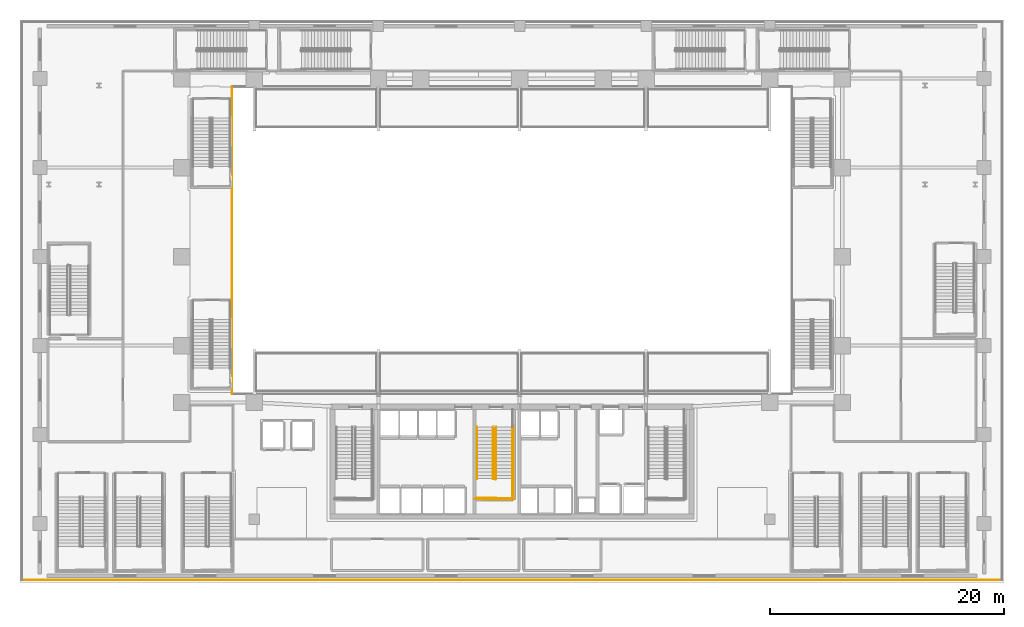
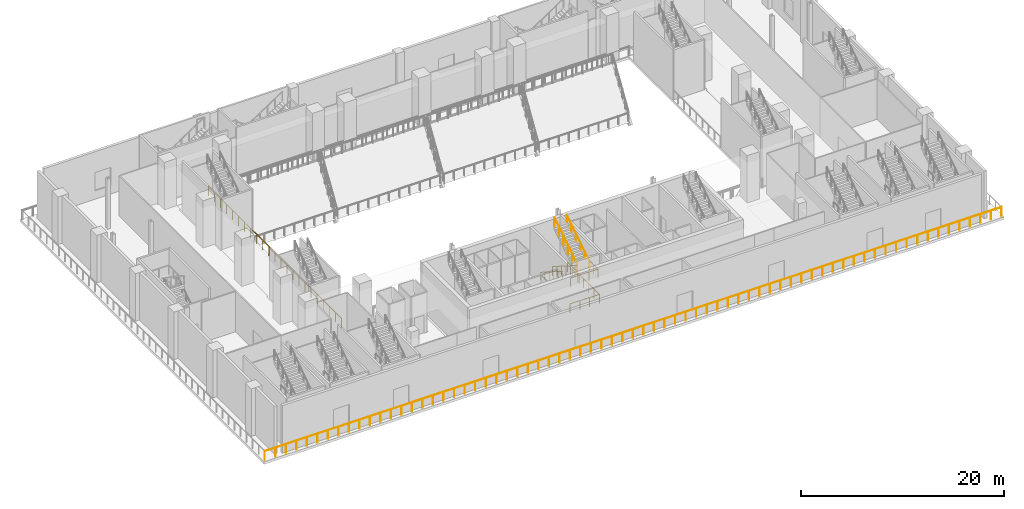
# One storey, part 18 of 30: 8 railings.
"""IFC4 building model written with IfcOpenShell, lengths in metres."""

from ifc_helpers import new_model, si_unit, direction, frame, origin, origin_2d, place, context, subcontext, project, spatial, circle, extrude, material, layer, layer_set, type_object, element, save


model = new_model("IFC4")

# Units and contexts
model_context = context("Model", 3, precision=1e-05, world=origin(), true_north=direction((0.0, 1.0)))
body_context = subcontext(model_context, "Body", "Model", "MODEL_VIEW")
ifc_project = project(units=[si_unit("LENGTHUNIT", "METRE"), si_unit("AREAUNIT", "SQUARE_METRE"), si_unit("VOLUMEUNIT", "CUBIC_METRE"), si_unit("PLANEANGLEUNIT", "RADIAN"), si_unit("MASSUNIT", "GRAM", prefix="KILO")], contexts=[model_context])

# Site, building, storey
site_placement = place(None, origin())
site = spatial("IfcSite", under=ifc_project, at=site_placement, CompositionType="ELEMENT")
building_placement = place(site_placement, origin())
building = spatial("IfcBuilding", under=site, at=building_placement, Name="Ndaravel Arena Tower", CompositionType="ELEMENT")
storey_placement = place(building_placement, frame((0.0, 0.0, 6.0)))
storey = spatial("IfcBuildingStorey", under=building, at=storey_placement, Name="L01", CompositionType="ELEMENT", Elevation=6.0)

# Railings
ifc_material_1 = material(Name="Steel S355", Category="steel")
ifc_layer_1 = layer(ifc_material_1, 0.06005859375)
ifc_layer_set_1 = layer_set([ifc_layer_1], Name="Steel S355")
railing_type_1 = type_object("IfcRailingType", Name="RAIL-STAIR-GD1100", PredefinedType="GUARDRAIL", material=ifc_layer_set_1)
railing_1_placement = place(storey_placement, frame((40.39990234375, 13.25, 0.1875)))
element("IfcRailing", 1, at=railing_1_placement, inside=storey, type_object=railing_type_1, Name="L01 ST-2 stair guard 1", PredefinedType="GUARDRAIL", context=body_context, shape_type="SweptSolid", body=[
    extrude(circle(Radius=0.02392578125, at=origin_2d()), frame((0.0, 0.0, 1.076171875), z_axis=(0.0, -0.843958541447, 0.536408408136), x_axis=(1.0, 0.0, 0.0)), (0.0, 0.0, 1.0), 5.2431640625),
    extrude(circle(Radius=0.02392578125, at=origin_2d()), frame((0.0, -4.425048828125, 3.888671875), z_axis=(0.967074537263, -0.25449329928, 0.0), x_axis=(0.25449329928, 0.967074537263, 0.0)), (0.0, 0.0, 1.0), 0.19677734375),
    extrude(circle(Radius=0.02099609375, at=origin_2d()), origin(), (0.0, 0.0, 1.0), 1.052001953125),
    extrude(circle(Radius=0.02099609375, at=origin_2d()), frame((0.0, -0.885009765625, 0.5625)), (0.0, 0.0, 1.0), 1.052001953125),
    extrude(circle(Radius=0.02099609375, at=origin_2d()), frame((0.0, -1.77001953125, 1.125)), (0.0, 0.0, 1.0), 1.052001953125),
    extrude(circle(Radius=0.02099609375, at=origin_2d()), frame((0.0, -2.655029296875, 1.6875)), (0.0, 0.0, 1.0), 1.052001953125),
    extrude(circle(Radius=0.02099609375, at=origin_2d()), frame((0.0, -3.5400390625, 2.25)), (0.0, 0.0, 1.0), 1.052001953125),
    extrude(circle(Radius=0.02099609375, at=origin_2d()), frame((0.0, -4.425048828125, 2.8125)), (0.0, 0.0, 1.0), 1.052001953125),
    extrude(circle(Radius=0.02099609375, at=origin_2d()), frame((0.190185546875, -4.47509765625, 2.8125)), (0.0, 0.0, 1.0), 1.052001953125),
])
railing_2_placement = place(storey_placement, frame((42.0400390625, 8.824951171875, 3.0)))
element("IfcRailing", 2, at=railing_2_placement, inside=storey, type_object=railing_type_1, Name="L01 ST-2 stair guard 2", PredefinedType="GUARDRAIL", context=body_context, shape_type="SweptSolid", body=[
    extrude(circle(Radius=0.02392578125, at=origin_2d()), frame((0.0, 0.0, 1.076171875), z_axis=(0.0, -1.0, 0.0), x_axis=(1.0, 0.0, 0.0)), (0.0, 0.0, 1.0), 1.675048828125),
    extrude(circle(Radius=0.02392578125, at=origin_2d()), frame((0.0, -1.675048828125, 1.076171875), z_axis=(-0.999868861343, 0.016194447071, 0.0), x_axis=(-0.016194447071, -0.999868861343, 0.0)), (0.0, 0.0, 1.0), 3.090576171875),
    extrude(circle(Radius=0.02099609375, at=origin_2d()), origin(), (0.0, 0.0, 1.0), 1.052001953125),
    extrude(circle(Radius=0.02099609375, at=origin_2d()), frame((0.0, -0.83740234375, 0.0)), (0.0, 0.0, 1.0), 1.052001953125),
    extrude(circle(Radius=0.02099609375, at=origin_2d()), frame((0.0, -1.675048828125, 0.0)), (0.0, 0.0, 1.0), 1.052001953125),
    extrude(circle(Radius=0.02099609375, at=origin_2d()), frame((-1.030029296875, -1.658447265625, 0.0)), (0.0, 0.0, 1.0), 1.052001953125),
    extrude(circle(Radius=0.02099609375, at=origin_2d()), frame((-2.06005859375, -1.6416015625, 0.0)), (0.0, 0.0, 1.0), 1.052001953125),
    extrude(circle(Radius=0.02099609375, at=origin_2d()), frame((-3.090087890625, -1.625, 0.0)), (0.0, 0.0, 1.0), 1.052001953125),
])
railing_3_placement = place(storey_placement, frame((40.639892578125, 8.824951171875, 3.1875)))
element("IfcRailing", 3, at=railing_3_placement, inside=storey, type_object=railing_type_1, Name="L01 ST-2 stair guard 3", PredefinedType="GUARDRAIL", context=body_context, shape_type="SweptSolid", body=[
    extrude(circle(Radius=0.02392578125, at=origin_2d()), frame((0.0, 0.0, 1.076171875), z_axis=(0.0, 0.843958541447, 0.536408408136), x_axis=(-1.0, 0.0, 0.0)), (0.0, 0.0, 1.0), 5.2431640625),
    extrude(circle(Radius=0.02099609375, at=origin_2d()), origin(), (0.0, 0.0, 1.0), 1.052001953125),
    extrude(circle(Radius=0.02099609375, at=origin_2d()), frame((0.0, 0.885009765625, 0.5625)), (0.0, 0.0, 1.0), 1.052001953125),
    extrude(circle(Radius=0.02099609375, at=origin_2d()), frame((0.0, 1.77001953125, 1.125)), (0.0, 0.0, 1.0), 1.052001953125),
    extrude(circle(Radius=0.02099609375, at=origin_2d()), frame((0.0, 2.655029296875, 1.6875)), (0.0, 0.0, 1.0), 1.052001953125),
    extrude(circle(Radius=0.02099609375, at=origin_2d()), frame((0.0, 3.5400390625, 2.25)), (0.0, 0.0, 1.0), 1.052001953125),
    extrude(circle(Radius=0.02099609375, at=origin_2d()), frame((0.0, 4.425048828125, 2.8125)), (0.0, 0.0, 1.0), 1.052001953125),
])
railing_4_placement = place(storey_placement, frame((42.139892578125, 13.35009765625, 0.0)))
element("IfcRailing", 4, at=railing_4_placement, inside=storey, type_object=railing_type_1, Name="L01 ST-2 stair guard 6", PredefinedType="GUARDRAIL", context=body_context, shape_type="SweptSolid", body=[
    extrude(circle(Radius=0.02392578125, at=origin_2d()), frame((0.0, 0.0, 1.076171875), z_axis=(0.0, -1.0, 0.0), x_axis=(1.0, 0.0, 0.0)), (0.0, 0.0, 1.0), 6.300048828125),
    extrude(circle(Radius=0.02392578125, at=origin_2d()), frame((0.0, -6.300048828125, 1.076171875), z_axis=(-0.999884296952, 0.015211597839, 0.0), x_axis=(-0.015211597839, -0.999884296952, 0.0)), (0.0, 0.0, 1.0), 3.290283203125),
    extrude(circle(Radius=0.02099609375, at=origin_2d()), origin(), (0.0, 0.0, 1.0), 1.052001953125),
    extrude(circle(Radius=0.02099609375, at=origin_2d()), frame((0.0, -1.050048828125, 0.0)), (0.0, 0.0, 1.0), 1.052001953125),
    extrude(circle(Radius=0.02099609375, at=origin_2d()), frame((0.0, -2.10009765625, 0.0)), (0.0, 0.0, 1.0), 1.052001953125),
    extrude(circle(Radius=0.02099609375, at=origin_2d()), frame((0.0, -3.14990234375, 0.0)), (0.0, 0.0, 1.0), 1.052001953125),
    extrude(circle(Radius=0.02099609375, at=origin_2d()), frame((0.0, -4.199951171875, 0.0)), (0.0, 0.0, 1.0), 1.052001953125),
    extrude(circle(Radius=0.02099609375, at=origin_2d()), frame((0.0, -5.25, 0.0)), (0.0, 0.0, 1.0), 1.052001953125),
    extrude(circle(Radius=0.02099609375, at=origin_2d()), frame((0.0, -6.300048828125, 0.0)), (0.0, 0.0, 1.0), 1.052001953125),
    extrude(circle(Radius=0.02099609375, at=origin_2d()), frame((-1.0966796875, -6.283447265625, 0.0)), (0.0, 0.0, 1.0), 1.052001953125),
    extrude(circle(Radius=0.02099609375, at=origin_2d()), frame((-2.193115234375, -6.2666015625, 0.0)), (0.0, 0.0, 1.0), 1.052001953125),
    extrude(circle(Radius=0.02099609375, at=origin_2d()), frame((-3.289794921875, -6.25, 0.0)), (0.0, 0.0, 1.0), 1.052001953125),
])
ifc_material_2 = material(Name="Steel S355", Category="steel")
ifc_layer_2 = layer(ifc_material_2, 0.050048828125)
ifc_layer_set_2 = layer_set([ifc_layer_2], Name="Steel S355")
railing_type_2 = type_object("IfcRailingType", Name="RAIL-STAIR-HR920", PredefinedType="HANDRAIL", material=ifc_layer_set_2)
railing_5_placement = place(storey_placement, frame((39.0, 13.25, 0.1875)))
element("IfcRailing", 5, at=railing_5_placement, inside=storey, type_object=railing_type_2, Name="L01 ST-2 stair handrail 1", PredefinedType="HANDRAIL", context=body_context, shape_type="SweptSolid", body=[
    extrude(circle(Radius=0.02392578125, at=origin_2d()), frame((0.0, 0.0, 0.8759765625), z_axis=(0.0, -0.843958541447, 0.536408408136), x_axis=(1.0, 0.0, 0.0)), (0.0, 0.0, 1.0), 5.2431640625),
    extrude(circle(Radius=0.02099609375, at=origin_2d()), origin(), (0.0, 0.0, 1.0), 0.851806640625),
    extrude(circle(Radius=0.02099609375, at=origin_2d()), frame((0.0, -0.885009765625, 0.5625)), (0.0, 0.0, 1.0), 0.851806640625),
    extrude(circle(Radius=0.02099609375, at=origin_2d()), frame((0.0, -1.77001953125, 1.125)), (0.0, 0.0, 1.0), 0.851806640625),
    extrude(circle(Radius=0.02099609375, at=origin_2d()), frame((0.0, -2.655029296875, 1.6875)), (0.0, 0.0, 1.0), 0.851806640625),
    extrude(circle(Radius=0.02099609375, at=origin_2d()), frame((0.0, -3.5400390625, 2.25)), (0.0, 0.0, 1.0), 0.851806640625),
    extrude(circle(Radius=0.02099609375, at=origin_2d()), frame((0.0, -4.425048828125, 2.8125)), (0.0, 0.0, 1.0), 0.851806640625),
])
railing_6_placement = place(storey_placement, frame((42.0400390625, 8.824951171875, 3.1875)))
element("IfcRailing", 6, at=railing_6_placement, inside=storey, type_object=railing_type_2, Name="L01 ST-2 stair handrail 2", PredefinedType="HANDRAIL", context=body_context, shape_type="SweptSolid", body=[
    extrude(circle(Radius=0.02392578125, at=origin_2d()), frame((0.0, 0.0, 0.8759765625), z_axis=(0.0, 0.843958541447, 0.536408408136), x_axis=(-1.0, 0.0, 0.0)), (0.0, 0.0, 1.0), 5.2431640625),
    extrude(circle(Radius=0.02099609375, at=origin_2d()), origin(), (0.0, 0.0, 1.0), 0.851806640625),
    extrude(circle(Radius=0.02099609375, at=origin_2d()), frame((0.0, 0.885009765625, 0.5625)), (0.0, 0.0, 1.0), 0.851806640625),
    extrude(circle(Radius=0.02099609375, at=origin_2d()), frame((0.0, 1.77001953125, 1.125)), (0.0, 0.0, 1.0), 0.851806640625),
    extrude(circle(Radius=0.02099609375, at=origin_2d()), frame((0.0, 2.655029296875, 1.6875)), (0.0, 0.0, 1.0), 0.851806640625),
    extrude(circle(Radius=0.02099609375, at=origin_2d()), frame((0.0, 3.5400390625, 2.25)), (0.0, 0.0, 1.0), 0.851806640625),
    extrude(circle(Radius=0.02099609375, at=origin_2d()), frame((0.0, 4.425048828125, 2.8125)), (0.0, 0.0, 1.0), 0.851806640625),
])
ifc_material_3 = material(Name="Glazing", Category="glass")
ifc_layer_3 = layer(ifc_material_3, 0.070068359375)
ifc_layer_set_3 = layer_set([ifc_layer_3], Name="Glazing")
railing_type_3 = type_object("IfcRailingType", Name="RAIL-TERRACE-1150", PredefinedType="BALUSTRADE", material=ifc_layer_set_3)
railing_7_placement = place(storey_placement, frame((0.179931640625, 0.179931640625, 0.0)))
element("IfcRailing", 7, at=railing_7_placement, inside=storey, type_object=railing_type_3, Name="L01 Podium Perimeter Edge Guard 1", PredefinedType="BALUSTRADE", context=body_context, shape_type="SweptSolid", body=[
    extrude(circle(Radius=0.02392578125, at=origin_2d()), frame((0.0, 0.0, 1.1259765625), z_axis=(1.0, 0.0, 0.0), x_axis=(0.0, 1.0, 0.0)), (0.0, 0.0, 1.0), 83.64013671875),
    extrude(circle(Radius=0.02099609375, at=origin_2d()), origin(), (0.0, 0.0, 1.0), 1.101806640625),
    extrude(circle(Radius=0.02099609375, at=origin_2d()), frame((1.19482421875, 0.0, 0.0)), (0.0, 0.0, 1.0), 1.101806640625),
    extrude(circle(Radius=0.02099609375, at=origin_2d()), frame((2.3896484375, 0.0, 0.0)), (0.0, 0.0, 1.0), 1.101806640625),
    extrude(circle(Radius=0.02099609375, at=origin_2d()), frame((3.58447265625, 0.0, 0.0)), (0.0, 0.0, 1.0), 1.101806640625),
    extrude(circle(Radius=0.02099609375, at=origin_2d()), frame((4.779541015625, 0.0, 0.0)), (0.0, 0.0, 1.0), 1.101806640625),
    extrude(circle(Radius=0.02099609375, at=origin_2d()), frame((5.974365234375, 0.0, 0.0)), (0.0, 0.0, 1.0), 1.101806640625),
    extrude(circle(Radius=0.02099609375, at=origin_2d()), frame((7.169189453125, 0.0, 0.0)), (0.0, 0.0, 1.0), 1.101806640625),
    extrude(circle(Radius=0.02099609375, at=origin_2d()), frame((8.364013671875, 0.0, 0.0)), (0.0, 0.0, 1.0), 1.101806640625),
    extrude(circle(Radius=0.02099609375, at=origin_2d()), frame((9.558837890625, 0.0, 0.0)), (0.0, 0.0, 1.0), 1.101806640625),
    extrude(circle(Radius=0.02099609375, at=origin_2d()), frame((10.753662109375, 0.0, 0.0)), (0.0, 0.0, 1.0), 1.101806640625),
    extrude(circle(Radius=0.02099609375, at=origin_2d()), frame((11.948486328125, 0.0, 0.0)), (0.0, 0.0, 1.0), 1.101806640625),
    extrude(circle(Radius=0.02099609375, at=origin_2d()), frame((13.1435546875, 0.0, 0.0)), (0.0, 0.0, 1.0), 1.101806640625),
    extrude(circle(Radius=0.02099609375, at=origin_2d()), frame((14.33837890625, 0.0, 0.0)), (0.0, 0.0, 1.0), 1.101806640625),
    extrude(circle(Radius=0.02099609375, at=origin_2d()), frame((15.533203125, 0.0, 0.0)), (0.0, 0.0, 1.0), 1.101806640625),
    extrude(circle(Radius=0.02099609375, at=origin_2d()), frame((16.72802734375, 0.0, 0.0)), (0.0, 0.0, 1.0), 1.101806640625),
    extrude(circle(Radius=0.02099609375, at=origin_2d()), frame((17.9228515625, 0.0, 0.0)), (0.0, 0.0, 1.0), 1.101806640625),
    extrude(circle(Radius=0.02099609375, at=origin_2d()), frame((19.11767578125, 0.0, 0.0)), (0.0, 0.0, 1.0), 1.101806640625),
    extrude(circle(Radius=0.02099609375, at=origin_2d()), frame((20.3125, 0.0, 0.0)), (0.0, 0.0, 1.0), 1.101806640625),
    extrude(circle(Radius=0.02099609375, at=origin_2d()), frame((21.507568359375, 0.0, 0.0)), (0.0, 0.0, 1.0), 1.101806640625),
    extrude(circle(Radius=0.02099609375, at=origin_2d()), frame((22.702392578125, 0.0, 0.0)), (0.0, 0.0, 1.0), 1.101806640625),
    extrude(circle(Radius=0.02099609375, at=origin_2d()), frame((23.897216796875, 0.0, 0.0)), (0.0, 0.0, 1.0), 1.101806640625),
    extrude(circle(Radius=0.02099609375, at=origin_2d()), frame((25.092041015625, 0.0, 0.0)), (0.0, 0.0, 1.0), 1.101806640625),
    extrude(circle(Radius=0.02099609375, at=origin_2d()), frame((26.286865234375, 0.0, 0.0)), (0.0, 0.0, 1.0), 1.101806640625),
    extrude(circle(Radius=0.02099609375, at=origin_2d()), frame((27.481689453125, 0.0, 0.0)), (0.0, 0.0, 1.0), 1.101806640625),
    extrude(circle(Radius=0.02099609375, at=origin_2d()), frame((28.676513671875, 0.0, 0.0)), (0.0, 0.0, 1.0), 1.101806640625),
    extrude(circle(Radius=0.02099609375, at=origin_2d()), frame((29.87158203125, 0.0, 0.0)), (0.0, 0.0, 1.0), 1.101806640625),
    extrude(circle(Radius=0.02099609375, at=origin_2d()), frame((31.06640625, 0.0, 0.0)), (0.0, 0.0, 1.0), 1.101806640625),
    extrude(circle(Radius=0.02099609375, at=origin_2d()), frame((32.26123046875, 0.0, 0.0)), (0.0, 0.0, 1.0), 1.101806640625),
    extrude(circle(Radius=0.02099609375, at=origin_2d()), frame((33.4560546875, 0.0, 0.0)), (0.0, 0.0, 1.0), 1.101806640625),
    extrude(circle(Radius=0.02099609375, at=origin_2d()), frame((34.65087890625, 0.0, 0.0)), (0.0, 0.0, 1.0), 1.101806640625),
    extrude(circle(Radius=0.02099609375, at=origin_2d()), frame((35.845703125, 0.0, 0.0)), (0.0, 0.0, 1.0), 1.101806640625),
    extrude(circle(Radius=0.02099609375, at=origin_2d()), frame((37.04052734375, 0.0, 0.0)), (0.0, 0.0, 1.0), 1.101806640625),
    extrude(circle(Radius=0.02099609375, at=origin_2d()), frame((38.235595703125, 0.0, 0.0)), (0.0, 0.0, 1.0), 1.101806640625),
    extrude(circle(Radius=0.02099609375, at=origin_2d()), frame((39.430419921875, 0.0, 0.0)), (0.0, 0.0, 1.0), 1.101806640625),
    extrude(circle(Radius=0.02099609375, at=origin_2d()), frame((40.625244140625, 0.0, 0.0)), (0.0, 0.0, 1.0), 1.101806640625),
    extrude(circle(Radius=0.02099609375, at=origin_2d()), frame((41.820068359375, 0.0, 0.0)), (0.0, 0.0, 1.0), 1.101806640625),
    extrude(circle(Radius=0.02099609375, at=origin_2d()), frame((43.014892578125, 0.0, 0.0)), (0.0, 0.0, 1.0), 1.101806640625),
    extrude(circle(Radius=0.02099609375, at=origin_2d()), frame((44.209716796875, 0.0, 0.0)), (0.0, 0.0, 1.0), 1.101806640625),
    extrude(circle(Radius=0.02099609375, at=origin_2d()), frame((45.404541015625, 0.0, 0.0)), (0.0, 0.0, 1.0), 1.101806640625),
    extrude(circle(Radius=0.02099609375, at=origin_2d()), frame((46.599609375, 0.0, 0.0)), (0.0, 0.0, 1.0), 1.101806640625),
    extrude(circle(Radius=0.02099609375, at=origin_2d()), frame((47.79443359375, 0.0, 0.0)), (0.0, 0.0, 1.0), 1.101806640625),
    extrude(circle(Radius=0.02099609375, at=origin_2d()), frame((48.9892578125, 0.0, 0.0)), (0.0, 0.0, 1.0), 1.101806640625),
    extrude(circle(Radius=0.02099609375, at=origin_2d()), frame((50.18408203125, 0.0, 0.0)), (0.0, 0.0, 1.0), 1.101806640625),
    extrude(circle(Radius=0.02099609375, at=origin_2d()), frame((51.37890625, 0.0, 0.0)), (0.0, 0.0, 1.0), 1.101806640625),
    extrude(circle(Radius=0.02099609375, at=origin_2d()), frame((52.57373046875, 0.0, 0.0)), (0.0, 0.0, 1.0), 1.101806640625),
    extrude(circle(Radius=0.02099609375, at=origin_2d()), frame((53.7685546875, 0.0, 0.0)), (0.0, 0.0, 1.0), 1.101806640625),
    extrude(circle(Radius=0.02099609375, at=origin_2d()), frame((54.963623046875, 0.0, 0.0)), (0.0, 0.0, 1.0), 1.101806640625),
    extrude(circle(Radius=0.02099609375, at=origin_2d()), frame((56.158447265625, 0.0, 0.0)), (0.0, 0.0, 1.0), 1.101806640625),
    extrude(circle(Radius=0.02099609375, at=origin_2d()), frame((57.353271484375, 0.0, 0.0)), (0.0, 0.0, 1.0), 1.101806640625),
    extrude(circle(Radius=0.02099609375, at=origin_2d()), frame((58.548095703125, 0.0, 0.0)), (0.0, 0.0, 1.0), 1.101806640625),
    extrude(circle(Radius=0.02099609375, at=origin_2d()), frame((59.742919921875, 0.0, 0.0)), (0.0, 0.0, 1.0), 1.101806640625),
    extrude(circle(Radius=0.02099609375, at=origin_2d()), frame((60.937744140625, 0.0, 0.0)), (0.0, 0.0, 1.0), 1.101806640625),
    extrude(circle(Radius=0.02099609375, at=origin_2d()), frame((62.132568359375, 0.0, 0.0)), (0.0, 0.0, 1.0), 1.101806640625),
    extrude(circle(Radius=0.02099609375, at=origin_2d()), frame((63.32763671875, 0.0, 0.0)), (0.0, 0.0, 1.0), 1.101806640625),
    extrude(circle(Radius=0.02099609375, at=origin_2d()), frame((64.5224609375, 0.0, 0.0)), (0.0, 0.0, 1.0), 1.101806640625),
    extrude(circle(Radius=0.02099609375, at=origin_2d()), frame((65.71728515625, 0.0, 0.0)), (0.0, 0.0, 1.0), 1.101806640625),
    extrude(circle(Radius=0.02099609375, at=origin_2d()), frame((66.912109375, 0.0, 0.0)), (0.0, 0.0, 1.0), 1.101806640625),
    extrude(circle(Radius=0.02099609375, at=origin_2d()), frame((68.10693359375, 0.0, 0.0)), (0.0, 0.0, 1.0), 1.101806640625),
    extrude(circle(Radius=0.02099609375, at=origin_2d()), frame((69.3017578125, 0.0, 0.0)), (0.0, 0.0, 1.0), 1.101806640625),
    extrude(circle(Radius=0.02099609375, at=origin_2d()), frame((70.49658203125, 0.0, 0.0)), (0.0, 0.0, 1.0), 1.101806640625),
    extrude(circle(Radius=0.02099609375, at=origin_2d()), frame((71.691650390625, 0.0, 0.0)), (0.0, 0.0, 1.0), 1.101806640625),
    extrude(circle(Radius=0.02099609375, at=origin_2d()), frame((72.886474609375, 0.0, 0.0)), (0.0, 0.0, 1.0), 1.101806640625),
    extrude(circle(Radius=0.02099609375, at=origin_2d()), frame((74.081298828125, 0.0, 0.0)), (0.0, 0.0, 1.0), 1.101806640625),
    extrude(circle(Radius=0.02099609375, at=origin_2d()), frame((75.276123046875, 0.0, 0.0)), (0.0, 0.0, 1.0), 1.101806640625),
    extrude(circle(Radius=0.02099609375, at=origin_2d()), frame((76.470947265625, 0.0, 0.0)), (0.0, 0.0, 1.0), 1.101806640625),
    extrude(circle(Radius=0.02099609375, at=origin_2d()), frame((77.665771484375, 0.0, 0.0)), (0.0, 0.0, 1.0), 1.101806640625),
    extrude(circle(Radius=0.02099609375, at=origin_2d()), frame((78.860595703125, 0.0, 0.0)), (0.0, 0.0, 1.0), 1.101806640625),
    extrude(circle(Radius=0.02099609375, at=origin_2d()), frame((80.0556640625, 0.0, 0.0)), (0.0, 0.0, 1.0), 1.101806640625),
    extrude(circle(Radius=0.02099609375, at=origin_2d()), frame((81.25048828125, 0.0, 0.0)), (0.0, 0.0, 1.0), 1.101806640625),
    extrude(circle(Radius=0.02099609375, at=origin_2d()), frame((82.4453125, 0.0, 0.0)), (0.0, 0.0, 1.0), 1.101806640625),
    extrude(circle(Radius=0.02099609375, at=origin_2d()), frame((83.64013671875, 0.0, 0.0)), (0.0, 0.0, 1.0), 1.101806640625),
])
railing_8_placement = place(storey_placement, frame((18.080078125, 42.280029296875, 0.0)))
element("IfcRailing", 8, at=railing_8_placement, inside=storey, type_object=railing_type_3, Name="L01 Arena Bowl Concourse W Balustrade", PredefinedType="BALUSTRADE", context=body_context, shape_type="SweptSolid", body=[
    extrude(circle(Radius=0.02392578125, at=origin_2d()), frame((0.0, 0.0, 1.1259765625), z_axis=(0.0, -1.0, 0.0), x_axis=(1.0, 0.0, 0.0)), (0.0, 0.0, 1.0), 26.159912109375),
    extrude(circle(Radius=0.02099609375, at=origin_2d()), origin(), (0.0, 0.0, 1.0), 1.101806640625),
    extrude(circle(Radius=0.02099609375, at=origin_2d()), frame((0.0, -1.18896484375, 0.0)), (0.0, 0.0, 1.0), 1.101806640625),
    extrude(circle(Radius=0.02099609375, at=origin_2d()), frame((0.0, -2.378173828125, 0.0)), (0.0, 0.0, 1.0), 1.101806640625),
    extrude(circle(Radius=0.02099609375, at=origin_2d()), frame((0.0, -3.567138671875, 0.0)), (0.0, 0.0, 1.0), 1.101806640625),
    extrude(circle(Radius=0.02099609375, at=origin_2d()), frame((0.0, -4.75634765625, 0.0)), (0.0, 0.0, 1.0), 1.101806640625),
    extrude(circle(Radius=0.02099609375, at=origin_2d()), frame((0.0, -5.9453125, 0.0)), (0.0, 0.0, 1.0), 1.101806640625),
    extrude(circle(Radius=0.02099609375, at=origin_2d()), frame((0.0, -7.134521484375, 0.0)), (0.0, 0.0, 1.0), 1.101806640625),
    extrude(circle(Radius=0.02099609375, at=origin_2d()), frame((0.0, -8.32373046875, 0.0)), (0.0, 0.0, 1.0), 1.101806640625),
    extrude(circle(Radius=0.02099609375, at=origin_2d()), frame((0.0, -9.5126953125, 0.0)), (0.0, 0.0, 1.0), 1.101806640625),
    extrude(circle(Radius=0.02099609375, at=origin_2d()), frame((0.0, -10.70166015625, 0.0)), (0.0, 0.0, 1.0), 1.101806640625),
    extrude(circle(Radius=0.02099609375, at=origin_2d()), frame((0.0, -11.890869140625, 0.0)), (0.0, 0.0, 1.0), 1.101806640625),
    extrude(circle(Radius=0.02099609375, at=origin_2d()), frame((0.0, -13.080078125, 0.0)), (0.0, 0.0, 1.0), 1.101806640625),
    extrude(circle(Radius=0.02099609375, at=origin_2d()), frame((0.0, -14.26904296875, 0.0)), (0.0, 0.0, 1.0), 1.101806640625),
    extrude(circle(Radius=0.02099609375, at=origin_2d()), frame((0.0, -15.4580078125, 0.0)), (0.0, 0.0, 1.0), 1.101806640625),
    extrude(circle(Radius=0.02099609375, at=origin_2d()), frame((0.0, -16.647216796875, 0.0)), (0.0, 0.0, 1.0), 1.101806640625),
    extrude(circle(Radius=0.02099609375, at=origin_2d()), frame((0.0, -17.83642578125, 0.0)), (0.0, 0.0, 1.0), 1.101806640625),
    extrude(circle(Radius=0.02099609375, at=origin_2d()), frame((0.0, -19.025390625, 0.0)), (0.0, 0.0, 1.0), 1.101806640625),
    extrude(circle(Radius=0.02099609375, at=origin_2d()), frame((0.0, -20.21435546875, 0.0)), (0.0, 0.0, 1.0), 1.101806640625),
    extrude(circle(Radius=0.02099609375, at=origin_2d()), frame((0.0, -21.403564453125, 0.0)), (0.0, 0.0, 1.0), 1.101806640625),
    extrude(circle(Radius=0.02099609375, at=origin_2d()), frame((0.0, -22.5927734375, 0.0)), (0.0, 0.0, 1.0), 1.101806640625),
    extrude(circle(Radius=0.02099609375, at=origin_2d()), frame((0.0, -23.78173828125, 0.0)), (0.0, 0.0, 1.0), 1.101806640625),
    extrude(circle(Radius=0.02099609375, at=origin_2d()), frame((0.0, -24.970703125, 0.0)), (0.0, 0.0, 1.0), 1.101806640625),
    extrude(circle(Radius=0.02099609375, at=origin_2d()), frame((0.0, -26.159912109375, 0.0)), (0.0, 0.0, 1.0), 1.101806640625),
])

save(model, "model.ifc")
